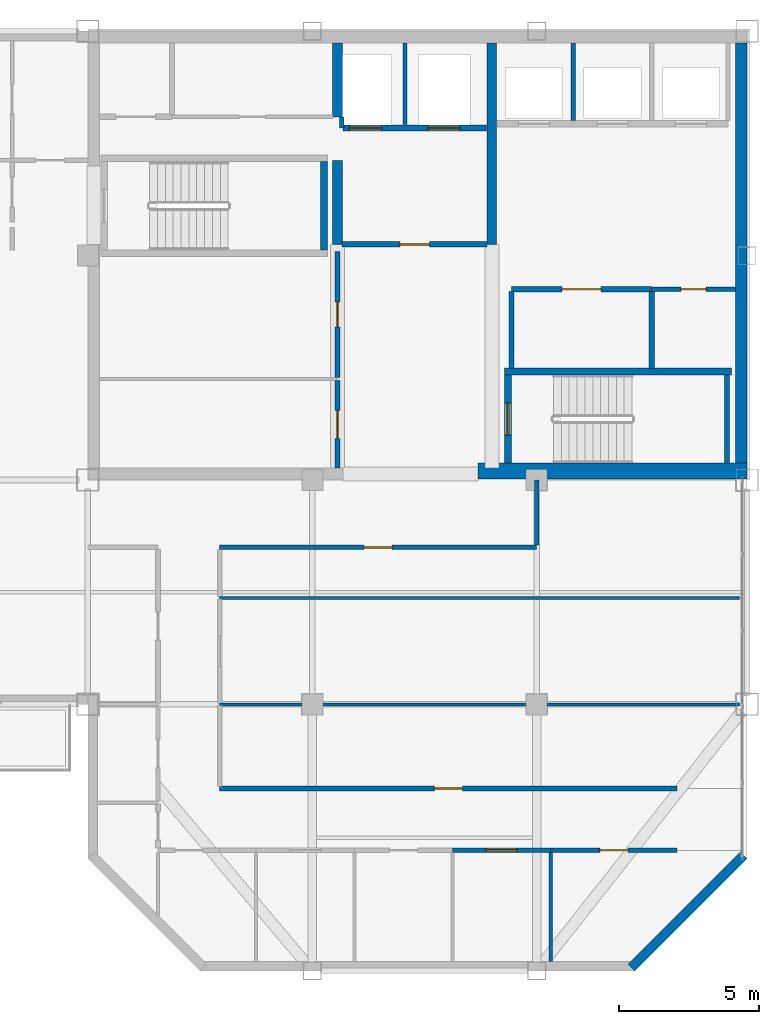
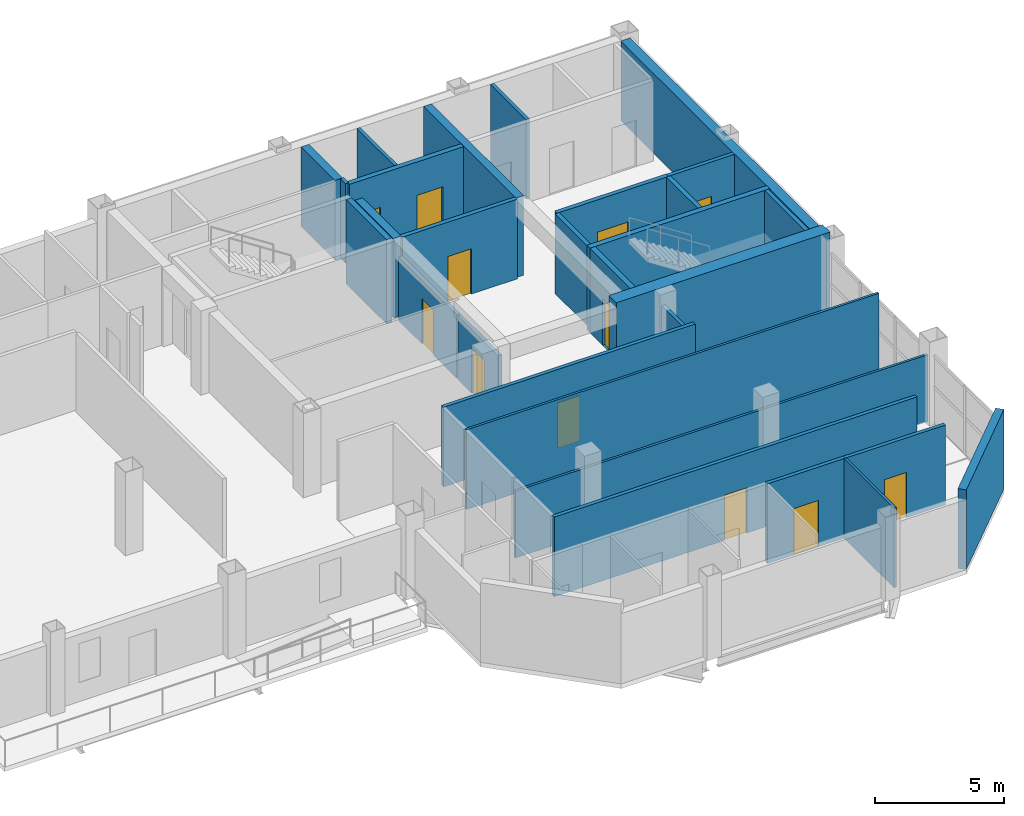
# One storey, part 9 of 13: 29 walls, 12 doors, 12 openings.
"""IFC4 building model written with IfcOpenShell, lengths in metres."""

from ifc_helpers import new_model, si_unit, direction, frame, frame_2d, origin, place, context, subcontext, project, spatial, rectangle, extrude, material, layer, layer_set, type_object, element, fill, save


model = new_model("IFC4")

# Units and contexts
model_context = context("Model", 3, precision=1e-05, world=origin(), true_north=direction((0.0, 1.0)))
body_context = subcontext(model_context, "Body", "Model", "MODEL_VIEW")
ifc_project = project(units=[si_unit("LENGTHUNIT", "METRE"), si_unit("AREAUNIT", "SQUARE_METRE"), si_unit("VOLUMEUNIT", "CUBIC_METRE"), si_unit("PLANEANGLEUNIT", "RADIAN"), si_unit("MASSUNIT", "GRAM", prefix="KILO")], contexts=[model_context])

# Site, building, storey
site_placement = place(None, origin())
site = spatial("IfcSite", under=ifc_project, at=site_placement, CompositionType="ELEMENT")
building_placement = place(site_placement, origin())
building = spatial("IfcBuilding", under=site, at=building_placement, Name="Qianrong Seaharbour Tower", CompositionType="ELEMENT")
storey_placement = place(building_placement, frame((0.0, 0.0, 295.199951171875)))
storey = spatial("IfcBuildingStorey", under=building, at=storey_placement, Name="L71", CompositionType="ELEMENT", Elevation=295.199951171875)

# Walls
ifc_material_1 = material(Name="Concrete C50/60", Category="concrete")
ifc_layer_1 = layer(ifc_material_1, 0.419921875)
ifc_layer_set_1 = layer_set([ifc_layer_1], Name="Concrete C50/60")
wall_type_1 = type_object("IfcWallType", Name="WALL-CORE-420", PredefinedType="SHEAR", material=ifc_layer_set_1)
wall_1_placement = place(storey_placement, frame((63.7900390625, 36.320068359375, 0.0), z_axis=(0.0, 0.0, 1.0), x_axis=(0.0, 1.0, 0.0)))
element("IfcWall", 1, at=wall_1_placement, inside=storey, type_object=wall_type_1, Name="L71 East Core Shear Wall", PredefinedType="SHEAR", context=body_context, shape_type="SweptSolid", body=[
    extrude(rectangle(XDim=15.260009765625, YDim=0.419921875, at=frame_2d((7.6298828125, 0.0))), origin(), (0.0, 0.0, 1.0), 3.78515625),
])
ifc_material_2 = material(Name="Concrete C70/85", Category="concrete")
ifc_layer_2 = layer(ifc_material_2, 0.580078125)
ifc_layer_set_2 = layer_set([ifc_layer_2], Name="Concrete C70/85")
wall_type_2 = type_object("IfcWallType", Name="WALL-CORE-580", PredefinedType="SHEAR", material=ifc_layer_set_2)
wall_2_placement = place(storey_placement, frame((54.39990234375, 36.320068359375, 0.0), z_axis=(0.0, 0.0, 1.0), x_axis=(1.0, 0.0, 0.0)))
element("IfcWall", 2, at=wall_2_placement, inside=storey, type_object=wall_type_2, Name="L71 South Core Shear Wall S3", PredefinedType="SHEAR", context=body_context, shape_type="SweptSolid", body=[
    extrude(rectangle(XDim=9.60009765625, YDim=0.580078125, at=frame_2d((4.800048828125, 0.0))), origin(), (0.0, 0.0, 1.0), 4.0),
])
ifc_layer_3 = layer(ifc_material_1, 0.35009765625)
ifc_layer_set_3 = layer_set([ifc_layer_3], Name="Concrete C50/60")
wall_type_3 = type_object("IfcWallType", Name="WALL-CORE-INT-350", PredefinedType="SHEAR", material=ifc_layer_set_3)
wall_3_placement = place(storey_placement, frame((49.39990234375, 44.39990234375, 0.0), z_axis=(0.0, 0.0, 1.0), x_axis=(0.0, 1.0, 0.0)))
element("IfcWall", 3, at=wall_3_placement, inside=storey, type_object=wall_type_3, Name="L71 Internal Core Shear Wall IW1N1", PredefinedType="SHEAR", context=body_context, shape_type="SweptSolid", body=[
    extrude(rectangle(XDim=3.0, YDim=0.35009765625, at=frame_2d((1.5, 0.0))), origin(), (0.0, 0.0, 1.0), 3.78515625),
])
wall_4_placement = place(storey_placement, frame((49.39990234375, 48.949951171875, 0.0), z_axis=(0.0, 0.0, 1.0), x_axis=(0.0, 1.0, 0.0)))
element("IfcWall", 4, at=wall_4_placement, inside=storey, type_object=wall_type_3, Name="L71 Internal Core Shear Wall IW1N2", PredefinedType="SHEAR", context=body_context, shape_type="SweptSolid", body=[
    extrude(rectangle(XDim=2.630126953125, YDim=0.35009765625, at=frame_2d((1.31494140625, 0.0))), origin(), (0.0, 0.0, 1.0), 3.78515625),
])
wall_5_placement = place(storey_placement, frame((54.89990234375, 44.39990234375, 0.0), z_axis=(0.0, 0.0, 1.0), x_axis=(0.0, 1.0, 0.0)))
element("IfcWall", 5, at=wall_5_placement, inside=storey, type_object=wall_type_3, Name="L71 Internal Core Shear Wall IW2N", PredefinedType="SHEAR", context=body_context, shape_type="SweptSolid", body=[
    extrude(rectangle(XDim=7.18017578125, YDim=0.35009765625, at=frame_2d((3.590087890625, 0.0))), origin(), (0.0, 0.0, 1.0), 3.78515625),
])

# Wall, opening, door
ifc_material_3 = material(Name="Fire-rated acoustic gypsum board partition")
ifc_layer_4 = layer(ifc_material_3, 0.1650390625)
ifc_layer_set_4 = layer_set([ifc_layer_4], Name="Fire-rated acoustic gypsum board partition")
wall_type_4 = type_object("IfcWallType", Name="WALL-CORR-PART-165", PredefinedType="PARTITIONING", material=ifc_layer_set_4)
wall_6_placement = place(storey_placement, frame((49.39990234375, 36.419921875, 0.0), z_axis=(0.0, 0.0, 1.0), x_axis=(0.0, 1.0, 0.0)))
wall_6 = element("IfcWall", 6, at=wall_6_placement, inside=storey, type_object=wall_type_4, Name="L71 Interior Partition Wall 010", PredefinedType="PARTITIONING", context=body_context, shape_type="SweptSolid", body=[
    extrude(rectangle(XDim=3.133056640625, YDim=0.1650390625, at=frame_2d((1.56640625, 0.0))), origin(), (0.0, 0.0, 1.0), 3.027099609375),
])
opening_1_placement = place(wall_6_placement, frame((1.06640625, 0.0, 0.0)))
opening_1 = element("IfcOpeningElement", 7, at=opening_1_placement, cuts=wall_6, Name="Opening DO-01", PredefinedType="OPENING", context=body_context, shape_type="SweptSolid", body=[
    extrude(rectangle(XDim=1.0, YDim=2.14990234375, at=frame_2d((0.5, 1.074951171875))), frame((0.0, 0.092529296875, 0.0), z_axis=(0.0, -1.0, 0.0), x_axis=(1.0, 0.0, 0.0)), (0.0, 0.0, 1.0), 0.18505859375),
])
ifc_material_4 = material(Name="Acoustic timber and galvanized steel fire door assembly", Category="steel")
door_type_1 = type_object("IfcDoorType", Name="DOOR-OFFICE-1000x2150", OperationType="NOTDEFINED", PredefinedType="DOOR", material=ifc_material_4)
door_1_placement = place(opening_1_placement, origin())
door_1 = element("IfcDoor", 8, at=door_1_placement, inside=storey, type_object=door_type_1, Name="L71 Wellness Room Door", OperationType="SINGLE_SWING_LEFT", OverallHeight=2.14990234375, OverallWidth=1.0, PredefinedType="DOOR", context=body_context, shape_type="SweptSolid", body=[
    extrude(rectangle(XDim=1.0, YDim=2.14990234375, at=frame_2d((0.5, 1.074951171875))), frame((0.0, 0.02490234375, 0.0), z_axis=(0.0, -1.0, 0.0), x_axis=(1.0, 0.0, 0.0)), (0.0, 0.0, 1.0), 0.050048828125),
])
fill(opening_1, door_1)

wall_7_placement = place(storey_placement, frame((49.39990234375, 39.64697265625, 0.0), z_axis=(0.0, 0.0, 1.0), x_axis=(0.0, 1.0, 0.0)))
wall_7 = element("IfcWall", 9, at=wall_7_placement, inside=storey, type_object=wall_type_4, Name="L71 Interior Partition Wall 011", PredefinedType="PARTITIONING", context=body_context, shape_type="SweptSolid", body=[
    extrude(rectangle(XDim=4.5029296875, YDim=0.1650390625, at=frame_2d((2.25146484375, 0.0))), origin(), (0.0, 0.0, 1.0), 3.027099609375),
])
opening_2_placement = place(wall_7_placement, frame((1.801513671875, 0.0, 0.0)))
opening_2 = element("IfcOpeningElement", 10, at=opening_2_placement, cuts=wall_7, Name="Opening DS-01", PredefinedType="OPENING", context=body_context, shape_type="SweptSolid", body=[
    extrude(rectangle(XDim=0.89990234375, YDim=2.14990234375, at=frame_2d((0.449951171875, 1.074951171875))), frame((0.0, 0.092529296875, 0.0), z_axis=(0.0, -1.0, 0.0), x_axis=(1.0, 0.0, 0.0)), (0.0, 0.0, 1.0), 0.18505859375),
])
door_type_2 = type_object("IfcDoorType", Name="DOOR-STORE-900x2150", OperationType="NOTDEFINED", PredefinedType="DOOR", material=ifc_material_4)
door_2_placement = place(opening_2_placement, origin())
door_2 = element("IfcDoor", 11, at=door_2_placement, inside=storey, type_object=door_type_2, Name="L71 Equipment Store Room Door", OperationType="SINGLE_SWING_RIGHT", OverallHeight=2.14990234375, OverallWidth=0.89990234375, PredefinedType="DOOR", context=body_context, shape_type="SweptSolid", body=[
    extrude(rectangle(XDim=0.89990234375, YDim=2.14990234375, at=frame_2d((0.449951171875, 1.074951171875))), frame((0.0, 0.02490234375, 0.0), z_axis=(0.0, -1.0, 0.0), x_axis=(1.0, 0.0, 0.0)), (0.0, 0.0, 1.0), 0.050048828125),
])
fill(opening_2, door_2)

wall_8_placement = place(storey_placement, frame((63.580078125, 42.800048828125, 0.0), z_axis=(0.0, 0.0, 1.0), x_axis=(-1.0, 0.0, 0.0)))
wall_8 = element("IfcWall", 12, at=wall_8_placement, inside=storey, type_object=wall_type_4, Name="L71 Interior Partition Wall 015", PredefinedType="PARTITIONING", context=body_context, shape_type="SweptSolid", body=[
    extrude(rectangle(XDim=2.97998046875, YDim=0.1650390625, at=frame_2d((1.489990234375, 0.0))), origin(), (0.0, 0.0, 1.0), 3.78515625),
])
opening_3_placement = place(wall_8_placement, frame((1.0400390625, 0.0, 0.0)))
opening_3 = element("IfcOpeningElement", 13, at=opening_3_placement, cuts=wall_8, Name="Opening DS-01", PredefinedType="OPENING", context=body_context, shape_type="SweptSolid", body=[
    extrude(rectangle(XDim=0.89990234375, YDim=2.14990234375, at=frame_2d((0.449951171875, 1.074951171875))), frame((0.0, 0.092529296875, 0.0), z_axis=(0.0, -1.0, 0.0), x_axis=(1.0, 0.0, 0.0)), (0.0, 0.0, 1.0), 0.18505859375),
])
door_3_placement = place(opening_3_placement, origin())
door_3 = element("IfcDoor", 14, at=door_3_placement, inside=storey, type_object=door_type_2, Name="L71 Housekeeping Linen Store Door", OperationType="SINGLE_SWING_RIGHT", OverallHeight=2.14990234375, OverallWidth=0.89990234375, PredefinedType="DOOR", context=body_context, shape_type="SweptSolid", body=[
    extrude(rectangle(XDim=0.89990234375, YDim=2.14990234375, at=frame_2d((0.449951171875, 1.074951171875))), frame((0.0, 0.02490234375, 0.0), z_axis=(0.0, -1.0, 0.0), x_axis=(1.0, 0.0, 0.0)), (0.0, 0.0, 1.0), 0.050048828125),
])
fill(opening_3, door_3)

# Wall
wall_9_placement = place(storey_placement, frame((56.5, 36.0, 0.0), z_axis=(0.0, 0.0, 1.0), x_axis=(0.0, -1.0, 0.0)))
element("IfcWall", 15, at=wall_9_placement, inside=storey, type_object=wall_type_4, Name="L71 Interior Partition Wall 025", PredefinedType="PARTITIONING", context=body_context, shape_type="SweptSolid", body=[
    extrude(rectangle(XDim=2.325439453125, YDim=0.1650390625, at=frame_2d((1.16259765625, 0.0))), origin(), (0.0, 0.0, 1.0), 3.177001953125),
])

# Wall, opening, door
wall_10_placement = place(storey_placement, frame((56.5, 33.60009765625, 0.0), z_axis=(0.0, 0.0, 1.0), x_axis=(-1.0, 0.0, 0.0)))
wall_10 = element("IfcWall", 16, at=wall_10_placement, inside=storey, type_object=wall_type_4, Name="L71 Interior Partition Wall 026", PredefinedType="PARTITIONING", context=body_context, shape_type="SweptSolid", body=[
    extrude(rectangle(XDim=11.300048828125, YDim=0.1650390625, at=frame_2d((5.64990234375, 0.0))), origin(), (0.0, 0.0, 1.0), 3.78515625),
])
opening_4_placement = place(wall_10_placement, frame((5.14990234375, 0.0, 0.0)))
opening_4 = element("IfcOpeningElement", 17, at=opening_4_placement, cuts=wall_10, Name="Opening DO-01", PredefinedType="OPENING", context=body_context, shape_type="SweptSolid", body=[
    extrude(rectangle(XDim=1.0, YDim=2.14990234375, at=frame_2d((0.5, 1.074951171875))), frame((0.0, 0.092529296875, 0.0), z_axis=(0.0, -1.0, 0.0), x_axis=(1.0, 0.0, 0.0)), (0.0, 0.0, 1.0), 0.18505859375),
])
door_4_placement = place(opening_4_placement, origin())
door_4 = element("IfcDoor", 18, at=door_4_placement, inside=storey, type_object=door_type_1, Name="L71 Focus Room 3 Door", OperationType="SINGLE_SWING_LEFT", OverallHeight=2.14990234375, OverallWidth=1.0, PredefinedType="DOOR", context=body_context, shape_type="SweptSolid", body=[
    extrude(rectangle(XDim=1.0, YDim=2.14990234375, at=frame_2d((0.5, 1.074951171875))), frame((0.0, 0.02490234375, 0.0), z_axis=(0.0, -1.0, 0.0), x_axis=(1.0, 0.0, 0.0)), (0.0, 0.0, 1.0), 0.050048828125),
])
fill(opening_4, door_4)

wall_11_placement = place(storey_placement, frame((45.199951171875, 25.0, 0.0), z_axis=(0.0, 0.0, 1.0), x_axis=(1.0, 0.0, 0.0)))
wall_11 = element("IfcWall", 19, at=wall_11_placement, inside=storey, type_object=wall_type_4, Name="L71 Interior Partition Wall 035", PredefinedType="PARTITIONING", context=body_context, shape_type="SweptSolid", body=[
    extrude(rectangle(XDim=16.300048828125, YDim=0.1650390625, at=frame_2d((8.14990234375, 0.0))), origin(), (0.0, 0.0, 1.0), 3.78515625),
])
opening_5_placement = place(wall_11_placement, frame((7.64990234375, 0.0, 0.0)))
opening_5 = element("IfcOpeningElement", 20, at=opening_5_placement, cuts=wall_11, Name="Opening DO-01", PredefinedType="OPENING", context=body_context, shape_type="SweptSolid", body=[
    extrude(rectangle(XDim=1.0, YDim=2.14990234375, at=frame_2d((0.5, 1.074951171875))), frame((0.0, 0.092529296875, 0.0), z_axis=(0.0, -1.0, 0.0), x_axis=(1.0, 0.0, 0.0)), (0.0, 0.0, 1.0), 0.18505859375),
])
door_5_placement = place(opening_5_placement, origin())
door_5 = element("IfcDoor", 21, at=door_5_placement, inside=storey, type_object=door_type_1, Name="L71 Executive Office 1 Door", OperationType="SINGLE_SWING_LEFT", OverallHeight=2.14990234375, OverallWidth=1.0, PredefinedType="DOOR", context=body_context, shape_type="SweptSolid", body=[
    extrude(rectangle(XDim=1.0, YDim=2.14990234375, at=frame_2d((0.5, 1.074951171875))), frame((0.0, 0.02490234375, 0.0), z_axis=(0.0, -1.0, 0.0), x_axis=(1.0, 0.0, 0.0)), (0.0, 0.0, 1.0), 0.050048828125),
])
fill(opening_5, door_5)

wall_12_placement = place(storey_placement, frame((57.0, 22.800048828125, 0.0), z_axis=(0.0, 0.0, 1.0), x_axis=(-1.0, 0.0, 0.0)))
wall_12 = element("IfcWall", 22, at=wall_12_placement, inside=storey, type_object=wall_type_4, Name="L71 Interior Partition Wall 039", PredefinedType="PARTITIONING", context=body_context, shape_type="SweptSolid", body=[
    extrude(rectangle(XDim=3.5, YDim=0.1650390625, at=frame_2d((1.75, 0.0))), origin(), (0.0, 0.0, 1.0), 3.78515625),
])
opening_6_placement = place(wall_12_placement, frame((1.199951171875, 0.0, 0.0)))
opening_6 = element("IfcOpeningElement", 23, at=opening_6_placement, cuts=wall_12, Name="Opening DM-01", PredefinedType="OPENING", context=body_context, shape_type="SweptSolid", body=[
    extrude(rectangle(XDim=1.10009765625, YDim=2.199951171875, at=frame_2d((0.550048828125, 1.10009765625))), frame((0.0, 0.092529296875, 0.0), z_axis=(0.0, -1.0, 0.0), x_axis=(1.0, 0.0, 0.0)), (0.0, 0.0, 1.0), 0.18505859375),
])
door_type_3 = type_object("IfcDoorType", Name="DOOR-MEET-1100x2200", OperationType="NOTDEFINED", PredefinedType="DOOR", material=ifc_material_4)
door_6_placement = place(opening_6_placement, origin())
door_6 = element("IfcDoor", 24, at=door_6_placement, inside=storey, type_object=door_type_3, Name="L71 Meeting Room 4 Door", OperationType="SINGLE_SWING_RIGHT", OverallHeight=2.199951171875, OverallWidth=1.10009765625, PredefinedType="DOOR", context=body_context, shape_type="SweptSolid", body=[
    extrude(rectangle(XDim=1.10009765625, YDim=2.199951171875, at=frame_2d((0.550048828125, 1.10009765625))), frame((0.0, 0.02490234375, 0.0), z_axis=(0.0, -1.0, 0.0), x_axis=(1.0, 0.0, 0.0)), (0.0, 0.0, 1.0), 0.050048828125),
])
fill(opening_6, door_6)

wall_13_placement = place(storey_placement, frame((61.5, 22.800048828125, 0.0), z_axis=(0.0, 0.0, 1.0), x_axis=(-1.0, 0.0, 0.0)))
wall_13 = element("IfcWall", 25, at=wall_13_placement, inside=storey, type_object=wall_type_4, Name="L71 Interior Partition Wall 040", PredefinedType="PARTITIONING", context=body_context, shape_type="SweptSolid", body=[
    extrude(rectangle(XDim=4.5, YDim=0.1650390625, at=frame_2d((2.25, 0.0))), origin(), (0.0, 0.0, 1.0), 3.78515625),
])
opening_7_placement = place(wall_13_placement, frame((1.75, 0.0, 0.0)))
opening_7 = element("IfcOpeningElement", 26, at=opening_7_placement, cuts=wall_13, Name="Opening DO-01", PredefinedType="OPENING", context=body_context, shape_type="SweptSolid", body=[
    extrude(rectangle(XDim=1.0, YDim=2.14990234375, at=frame_2d((0.5, 1.074951171875))), frame((0.0, 0.092529296875, 0.0), z_axis=(0.0, -1.0, 0.0), x_axis=(1.0, 0.0, 0.0)), (0.0, 0.0, 1.0), 0.18505859375),
])
door_7_placement = place(opening_7_placement, origin())
door_7 = element("IfcDoor", 27, at=door_7_placement, inside=storey, type_object=door_type_1, Name="L71 Executive Office 5 Door", OperationType="SINGLE_SWING_LEFT", OverallHeight=2.14990234375, OverallWidth=1.0, PredefinedType="DOOR", context=body_context, shape_type="SweptSolid", body=[
    extrude(rectangle(XDim=1.0, YDim=2.14990234375, at=frame_2d((0.5, 1.074951171875))), frame((0.0, 0.02490234375, 0.0), z_axis=(0.0, -1.0, 0.0), x_axis=(1.0, 0.0, 0.0)), (0.0, 0.0, 1.0), 0.050048828125),
])
fill(opening_7, door_7)

# Walls
ifc_material_5 = material(Name="Demountable aluminium-framed acoustic office partition", Category="aluminium")
ifc_layer_5 = layer(ifc_material_5, 0.110107421875)
ifc_layer_set_5 = layer_set([ifc_layer_5], Name="Demountable aluminium-framed acoustic office partition")
wall_type_5 = type_object("IfcWallType", Name="WALL-DEMOUNT-110", PredefinedType="MOVABLE", material=ifc_layer_set_5)
wall_14_placement = place(storey_placement, frame((45.199951171875, 28.0, 0.0), z_axis=(0.0, 0.0, 1.0), x_axis=(1.0, 0.0, 0.0)))
element("IfcWall", 28, at=wall_14_placement, inside=storey, type_object=wall_type_5, Name="L71 Interior Partition Wall 046", PredefinedType="MOVABLE", context=body_context, shape_type="SweptSolid", body=[
    extrude(rectangle(XDim=18.528076171875, YDim=0.110107421875, at=frame_2d((9.26416015625, 0.0))), origin(), (0.0, 0.0, 1.0), 3.177001953125),
])
wall_15_placement = place(storey_placement, frame((45.199951171875, 31.800048828125, 0.0), z_axis=(0.0, 0.0, 1.0), x_axis=(1.0, 0.0, 0.0)))
element("IfcWall", 29, at=wall_15_placement, inside=storey, type_object=wall_type_5, Name="L71 Interior Partition Wall 047", PredefinedType="MOVABLE", context=body_context, shape_type="SweptSolid", body=[
    extrude(rectangle(XDim=18.528076171875, YDim=0.110107421875, at=frame_2d((9.26416015625, 0.0))), origin(), (0.0, 0.0, 1.0), 3.78515625),
])
wall_16_placement = place(storey_placement, frame((57.0, 22.7255859375, 0.0), z_axis=(0.0, 0.0, 1.0), x_axis=(0.0, -1.0, 0.0)))
element("IfcWall", 30, at=wall_16_placement, inside=storey, type_object=wall_type_5, Name="L71 Interior Partition Wall 054", PredefinedType="MOVABLE", context=body_context, shape_type="SweptSolid", body=[
    extrude(rectangle(XDim=3.8935546875, YDim=0.110107421875, at=frame_2d((1.94677734375, 0.0))), origin(), (0.0, 0.0, 1.0), 3.78515625),
])
ifc_material_6 = material(Name="Unitised buff brick on Precast concrete C45/55", Category="masonry")
ifc_layer_6 = layer(ifc_material_6, 0.340087890625)
ifc_layer_set_6 = layer_set([ifc_layer_6], Name="Unitised buff brick on Precast concrete C45/55")
wall_type_6 = type_object("IfcWallType", Name="WALL-EXT-BRICK-BUFF-340", PredefinedType="SOLIDWALL", material=ifc_layer_set_6)
wall_17_placement = place(storey_placement, frame((63.8798828125, 22.6201171875, 0.0), z_axis=(0.0, 0.0, 1.0), x_axis=(-0.707106781187, -0.707106781187, 0.0)))
element("IfcWall", 31, at=wall_17_placement, inside=storey, type_object=wall_type_6, Name="L71 Exterior Masonry Facade Wall E07", PredefinedType="SOLIDWALL", context=body_context, shape_type="SweptSolid", body=[
    extrude(rectangle(XDim=5.65673828125, YDim=0.340087890625, at=frame_2d((2.828369140625, 0.0))), origin(), (0.0, 0.0, 1.0), 3.78515625),
])

# Wall, opening, door
ifc_material_7 = material(Name="Double fire-rated gypsum board acoustic partition")
ifc_layer_7 = layer(ifc_material_7, 0.18994140625)
ifc_layer_set_7 = layer_set([ifc_layer_7], Name="Double fire-rated gypsum board acoustic partition")
wall_type_7 = type_object("IfcWallType", Name="WALL-FIRE-PART-190", PredefinedType="PARTITIONING", material=ifc_layer_set_7)
wall_18_placement = place(storey_placement, frame((54.73291015625, 44.39990234375, 0.0), z_axis=(0.0, 0.0, 1.0), x_axis=(-1.0, 0.0, 0.0)))
wall_18 = element("IfcWall", 32, at=wall_18_placement, inside=storey, type_object=wall_type_7, Name="L71 Interior Partition Wall 009", PredefinedType="PARTITIONING", context=body_context, shape_type="SweptSolid", body=[
    extrude(rectangle(XDim=5.166015625, YDim=0.18994140625, at=frame_2d((2.5830078125, 0.0))), origin(), (0.0, 0.0, 1.0), 3.78515625),
])
opening_8_placement = place(wall_18_placement, frame((2.05810546875, 0.0, 0.0)))
opening_8 = element("IfcOpeningElement", 33, at=opening_8_placement, cuts=wall_18, Name="Opening DC-01", PredefinedType="OPENING", context=body_context, shape_type="SweptSolid", body=[
    extrude(rectangle(XDim=1.050048828125, YDim=2.14990234375, at=frame_2d((0.52490234375, 1.074951171875))), frame((0.0, 0.10498046875, 0.0), z_axis=(0.0, -1.0, 0.0), x_axis=(1.0, 0.0, 0.0)), (0.0, 0.0, 1.0), 0.2099609375),
])
door_type_4 = type_object("IfcDoorType", Name="DOOR-CORR-FD60-1050x2150", OperationType="NOTDEFINED", PredefinedType="DOOR", material=ifc_material_4)
door_8_placement = place(opening_8_placement, origin())
door_8 = element("IfcDoor", 34, at=door_8_placement, inside=storey, type_object=door_type_4, Name="L71 Firefighting Lift Lobby Door", OperationType="SINGLE_SWING_RIGHT", OverallHeight=2.14990234375, OverallWidth=1.050048828125, PredefinedType="DOOR", context=body_context, shape_type="SweptSolid", body=[
    extrude(rectangle(XDim=1.050048828125, YDim=2.14990234375, at=frame_2d((0.52490234375, 1.074951171875))), frame((0.0, 0.02490234375, 0.0), z_axis=(0.0, -1.0, 0.0), x_axis=(1.0, 0.0, 0.0)), (0.0, 0.0, 1.0), 0.050048828125),
])
fill(opening_8, door_8)

# Wall
wall_19_placement = place(storey_placement, frame((55.60009765625, 42.712890625, 0.0), z_axis=(0.0, 0.0, 1.0), x_axis=(0.0, -1.0, 0.0)))
element("IfcWall", 35, at=wall_19_placement, inside=storey, type_object=wall_type_7, Name="L71 Interior Partition Wall 012", PredefinedType="PARTITIONING", context=body_context, shape_type="SweptSolid", body=[
    extrude(rectangle(XDim=2.73095703125, YDim=0.18994140625, at=frame_2d((1.365478515625, 0.0))), origin(), (0.0, 0.0, 1.0), 3.78515625),
])

# Wall, opening, door
wall_20_placement = place(storey_placement, frame((60.60009765625, 42.800048828125, 0.0), z_axis=(0.0, 0.0, 1.0), x_axis=(-1.0, 0.0, 0.0)))
wall_20 = element("IfcWall", 36, at=wall_20_placement, inside=storey, type_object=wall_type_7, Name="L71 Interior Partition Wall 014", PredefinedType="PARTITIONING", context=body_context, shape_type="SweptSolid", body=[
    extrude(rectangle(XDim=5.0, YDim=0.18994140625, at=frame_2d((2.5, 0.0))), origin(), (0.0, 0.0, 1.0), 3.78515625),
])
opening_9_placement = place(wall_20_placement, frame((1.800048828125, 0.0, 0.0)))
opening_9 = element("IfcOpeningElement", 37, at=opening_9_placement, cuts=wall_20, Name="Opening DP-01", PredefinedType="OPENING", context=body_context, shape_type="SweptSolid", body=[
    extrude(rectangle(XDim=1.39990234375, YDim=2.25, at=frame_2d((0.699951171875, 1.125))), frame((0.0, 0.10498046875, 0.0), z_axis=(0.0, -1.0, 0.0), x_axis=(1.0, 0.0, 0.0)), (0.0, 0.0, 1.0), 0.2099609375),
])
door_type_5 = type_object("IfcDoorType", Name="DOOR-PLANT-PAIR-1400x2250", OperationType="DOUBLE_DOOR_SINGLE_SWING", PredefinedType="DOOR", material=ifc_material_4)
door_9_placement = place(opening_9_placement, origin())
door_9 = element("IfcDoor", 38, at=door_9_placement, inside=storey, type_object=door_type_5, Name="L71 Submetering Switch Room Door", OperationType="DOUBLE_DOOR_SINGLE_SWING", OverallHeight=2.25, OverallWidth=1.39990234375, PredefinedType="DOOR", context=body_context, shape_type="SweptSolid", body=[
    extrude(rectangle(XDim=1.39990234375, YDim=2.25, at=frame_2d((0.699951171875, 1.125))), frame((0.0, 0.02490234375, 0.0), z_axis=(0.0, -1.0, 0.0), x_axis=(1.0, 0.0, 0.0)), (0.0, 0.0, 1.0), 0.050048828125),
])
fill(opening_9, door_9)

# Walls
wall_21_placement = place(storey_placement, frame((60.60009765625, 42.712890625, 0.0), z_axis=(0.0, 0.0, 1.0), x_axis=(0.0, -1.0, 0.0)))
element("IfcWall", 39, at=wall_21_placement, inside=storey, type_object=wall_type_7, Name="L71 Interior Partition Wall 017", PredefinedType="PARTITIONING", context=body_context, shape_type="SweptSolid", body=[
    extrude(rectangle(XDim=2.73095703125, YDim=0.18994140625, at=frame_2d((1.365478515625, 0.0))), origin(), (0.0, 0.0, 1.0), 3.78515625),
])
ifc_material_8 = material(Name="Fire-rated gypsum board on steel studs", Category="steel")
ifc_layer_8 = layer(ifc_material_8, 0.14990234375)
ifc_layer_set_8 = layer_set([ifc_layer_8], Name="Fire-rated gypsum board on steel studs")
wall_type_8 = type_object("IfcWallType", Name="WALL-SHAFT-DIV-150", PredefinedType="PARTITIONING", material=ifc_layer_set_8)
wall_22_placement = place(storey_placement, frame((51.800048828125, 48.669921875, 0.0), z_axis=(0.0, 0.0, 1.0), x_axis=(0.0, 1.0, 0.0)))
element("IfcWall", 40, at=wall_22_placement, inside=storey, type_object=wall_type_8, Name="L71 Firefighting Lift Shaft Divider Wall", PredefinedType="PARTITIONING", context=body_context, shape_type="SweptSolid", body=[
    extrude(rectangle(XDim=2.91015625, YDim=0.14990234375, at=frame_2d((1.455078125, 0.0))), origin(), (0.0, 0.0, 1.0), 3.78515625),
])
wall_23_placement = place(storey_placement, frame((49.550048828125, 48.550048828125, 0.0), z_axis=(0.0, 0.0, 1.0), x_axis=(0.0, 1.0, 0.0)))
element("IfcWall", 41, at=wall_23_placement, inside=storey, type_object=wall_type_8, Name="L71 Firefighting Lift Shaft West Return Wall", PredefinedType="PARTITIONING", context=body_context, shape_type="SweptSolid", body=[
    extrude(rectangle(XDim=0.39990234375, YDim=0.14990234375, at=frame_2d((0.199951171875, 0.0))), origin(), (0.0, 0.0, 1.0), 3.78515625),
])
wall_24_placement = place(storey_placement, frame((57.800048828125, 48.81005859375, 0.0), z_axis=(0.0, 0.0, 1.0), x_axis=(0.0, 1.0, 0.0)))
element("IfcWall", 42, at=wall_24_placement, inside=storey, type_object=wall_type_8, Name="L71 P4 Lift Hoistway Divider 2", PredefinedType="PARTITIONING", context=body_context, shape_type="SweptSolid", body=[
    extrude(rectangle(XDim=2.77001953125, YDim=0.14990234375, at=frame_2d((1.385009765625, 0.0))), origin(), (0.0, 0.0, 1.0), 3.78515625),
])

# Wall, openings, doors
ifc_layer_9 = layer(ifc_material_8, 0.219970703125)
ifc_layer_set_9 = layer_set([ifc_layer_9], Name="Fire-rated gypsum board on steel studs")
wall_type_9 = type_object("IfcWallType", Name="WALL-SHAFT-GYP220", PredefinedType="PARTITIONING", material=ifc_layer_set_9)
wall_25_placement = place(storey_placement, frame((54.7099609375, 48.550048828125, 0.0), z_axis=(0.0, 0.0, 1.0), x_axis=(-1.0, 0.0, 0.0)))
wall_25 = element("IfcWall", 43, at=wall_25_placement, inside=storey, type_object=wall_type_9, Name="L71 Firefighting Lift Shaft Front Wall", PredefinedType="PARTITIONING", context=body_context, shape_type="SweptSolid", body=[
    extrude(rectangle(XDim=5.119873046875, YDim=0.219970703125, at=frame_2d((2.56005859375, 0.0))), origin(), (0.0, 0.0, 1.0), 3.78515625),
])
opening_10_placement = place(wall_25_placement, frame((3.735107421875, 0.0, 0.0)))
opening_10 = element("IfcOpeningElement", 44, at=opening_10_placement, cuts=wall_25, Name="Opening LD-01", PredefinedType="OPENING", context=body_context, shape_type="SweptSolid", body=[
    extrude(rectangle(XDim=1.14990234375, YDim=2.199951171875, at=frame_2d((0.574951171875, 1.10009765625))), frame((0.0, 0.1201171875, 0.0), z_axis=(0.0, -1.0, 0.0), x_axis=(1.0, 0.0, 0.0)), (0.0, 0.0, 1.0), 0.239990234375),
])
opening_11_placement = place(wall_25_placement, frame((0.93505859375, 0.0, 0.0)))
opening_11 = element("IfcOpeningElement", 45, at=opening_11_placement, cuts=wall_25, Name="Opening LD-01", PredefinedType="OPENING", context=body_context, shape_type="SweptSolid", body=[
    extrude(rectangle(XDim=1.14990234375, YDim=2.199951171875, at=frame_2d((0.574951171875, 1.10009765625))), frame((0.0, 0.1201171875, 0.0), z_axis=(0.0, -1.0, 0.0), x_axis=(1.0, 0.0, 0.0)), (0.0, 0.0, 1.0), 0.239990234375),
])
ifc_material_9 = material(Name="Stainless steel SUS316L bi-parting lift landing door", Category="steel")
door_type_6 = type_object("IfcDoorType", Name="DOOR-LIFT-FF-1150x2200", OperationType="DOUBLE_DOOR_SLIDING", PredefinedType="DOOR", material=ifc_material_9)
door_10_placement = place(opening_10_placement, origin())
door_10 = element("IfcDoor", 46, at=door_10_placement, inside=storey, type_object=door_type_6, Name="L71 FL-1 Firefighting Lift Landing Door", OperationType="DOUBLE_DOOR_SLIDING", OverallHeight=2.199951171875, OverallWidth=1.14990234375, PredefinedType="DOOR", context=body_context, shape_type="SweptSolid", body=[
    extrude(rectangle(XDim=1.14990234375, YDim=2.199951171875, at=frame_2d((0.574951171875, 1.10009765625))), frame((0.0, 0.02490234375, 0.0), z_axis=(0.0, -1.0, 0.0), x_axis=(1.0, 0.0, 0.0)), (0.0, 0.0, 1.0), 0.050048828125),
])
fill(opening_10, door_10)
door_11_placement = place(opening_11_placement, origin())
door_11 = element("IfcDoor", 47, at=door_11_placement, inside=storey, type_object=door_type_6, Name="L71 FL-2 Firefighting Lift Landing Door", OperationType="DOUBLE_DOOR_SLIDING", OverallHeight=2.199951171875, OverallWidth=1.14990234375, PredefinedType="DOOR", context=body_context, shape_type="SweptSolid", body=[
    extrude(rectangle(XDim=1.14990234375, YDim=2.199951171875, at=frame_2d((0.574951171875, 1.10009765625))), frame((0.0, 0.02490234375, 0.0), z_axis=(0.0, -1.0, 0.0), x_axis=(1.0, 0.0, 0.0)), (0.0, 0.0, 1.0), 0.050048828125),
])
fill(opening_11, door_11)

# Walls
ifc_layer_10 = layer(ifc_material_1, 0.239990234375)
ifc_layer_set_10 = layer_set([ifc_layer_10], Name="Concrete C50/60")
wall_type_10 = type_object("IfcWallType", Name="WALL-SHAFT-RC240", PredefinedType="SOLIDWALL", material=ifc_layer_set_10)
wall_26_placement = place(storey_placement, frame((48.919921875, 44.199951171875, 0.0), z_axis=(0.0, 0.0, 1.0), x_axis=(0.0, 1.0, 0.0)))
element("IfcWall", 48, at=wall_26_placement, inside=storey, type_object=wall_type_10, Name="L71 ST-1 Structural Stair Core Wall E", PredefinedType="SOLIDWALL", context=body_context, shape_type="SweptSolid", body=[
    extrude(rectangle(XDim=3.150146484375, YDim=0.239990234375, at=frame_2d((1.5751953125, 0.0))), origin(), (0.0, 0.0, 1.0), 4.0),
])
wall_27_placement = place(storey_placement, frame((55.360107421875, 39.8701171875, 0.0), z_axis=(0.0, 0.0, 1.0), x_axis=(1.0, 0.0, 0.0)))
element("IfcWall", 49, at=wall_27_placement, inside=storey, type_object=wall_type_10, Name="L71 ST-2 Structural Stair Core Wall N", PredefinedType="SOLIDWALL", context=body_context, shape_type="SweptSolid", body=[
    extrude(rectangle(XDim=8.079833984375, YDim=0.239990234375, at=frame_2d((4.0400390625, 0.0))), origin(), (0.0, 0.0, 1.0), 4.0),
])

# Wall, opening, door
wall_28_placement = place(storey_placement, frame((55.47998046875, 39.75, 0.0), z_axis=(0.0, 0.0, 1.0), x_axis=(0.0, -1.0, 0.0)))
wall_28 = element("IfcWall", 50, at=wall_28_placement, inside=storey, type_object=wall_type_10, Name="L71 ST-2 Structural Stair Core Wall W", PredefinedType="SOLIDWALL", context=body_context, shape_type="SweptSolid", body=[
    extrude(rectangle(XDim=3.14990234375, YDim=0.239990234375, at=frame_2d((1.574951171875, 0.0))), origin(), (0.0, 0.0, 1.0), 4.0),
])
opening_12_placement = place(wall_28_placement, frame((1.0, 0.0, 0.0)))
opening_12 = element("IfcOpeningElement", 51, at=opening_12_placement, cuts=wall_28, Name="Opening SD-01", PredefinedType="OPENING", context=body_context, shape_type="SweptSolid", body=[
    extrude(rectangle(XDim=1.14990234375, YDim=2.199951171875, at=frame_2d((0.574951171875, 1.10009765625))), frame((0.0, 0.1298828125, 0.0), z_axis=(0.0, -1.0, 0.0), x_axis=(1.0, 0.0, 0.0)), (0.0, 0.0, 1.0), 0.260009765625),
])
door_type_7 = type_object("IfcDoorType", Name="DOOR-STAIR-FD60-1150x2200", OperationType="NOTDEFINED", PredefinedType="DOOR", material=ifc_material_4)
door_12_placement = place(opening_12_placement, origin())
door_12 = element("IfcDoor", 52, at=door_12_placement, inside=storey, type_object=door_type_7, Name="L71 ST-2 Protected Stair Door", OperationType="SINGLE_SWING_RIGHT", OverallHeight=2.199951171875, OverallWidth=1.14990234375, PredefinedType="DOOR", context=body_context, shape_type="SweptSolid", body=[
    extrude(rectangle(XDim=1.14990234375, YDim=2.199951171875, at=frame_2d((0.574951171875, 1.10009765625))), frame((0.0, 0.02490234375, 0.0), z_axis=(0.0, -1.0, 0.0), x_axis=(1.0, 0.0, 0.0)), (0.0, 0.0, 1.0), 0.050048828125),
])
fill(opening_12, door_12)

# Wall
wall_29_placement = place(storey_placement, frame((63.2900390625, 36.60009765625, 0.0), z_axis=(0.0, 0.0, 1.0), x_axis=(0.0, 1.0, 0.0)))
element("IfcWall", 53, at=wall_29_placement, inside=storey, type_object=wall_type_10, Name="L71 ST-2 Structural Stair Core Wall E", PredefinedType="SOLIDWALL", context=body_context, shape_type="SweptSolid", body=[
    extrude(rectangle(XDim=3.14990234375, YDim=0.179931640625, at=frame_2d((1.574951171875, 0.0))), origin(), (0.0, 0.0, 1.0), 4.0),
])

save(model, "model.ifc")
